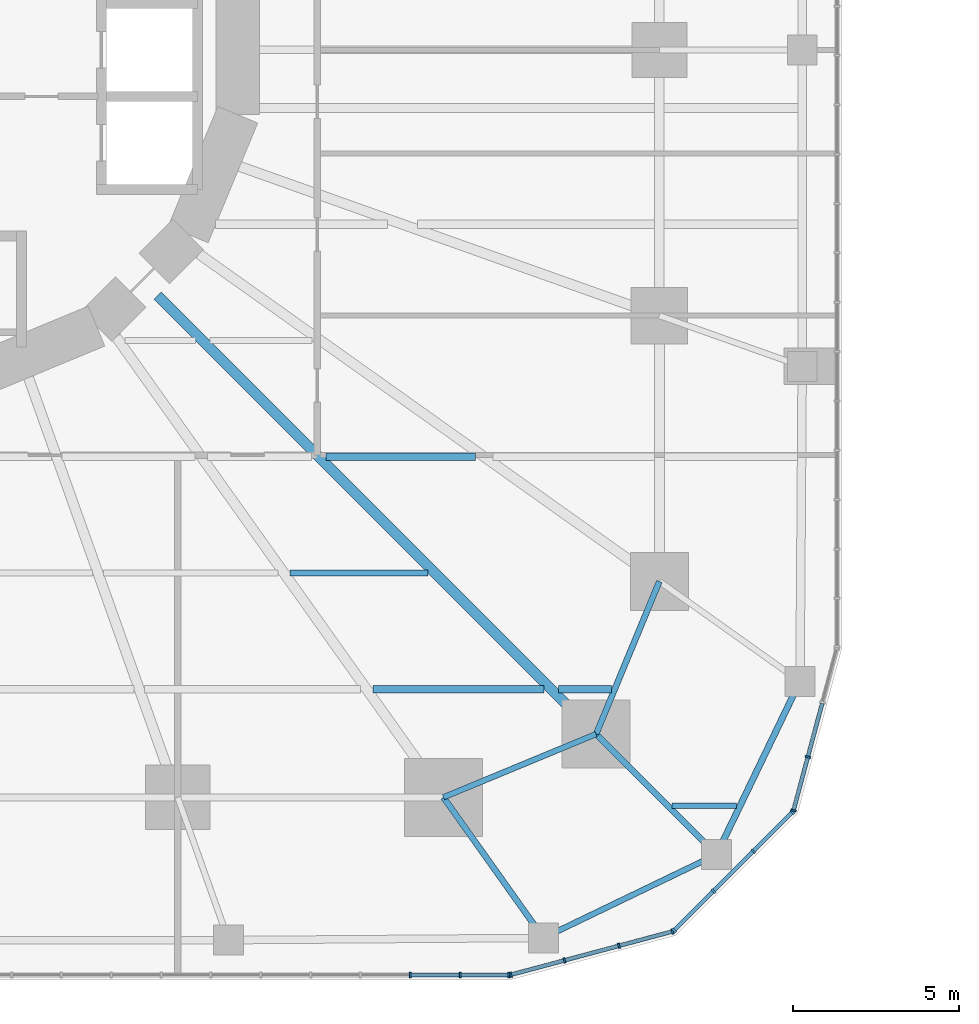
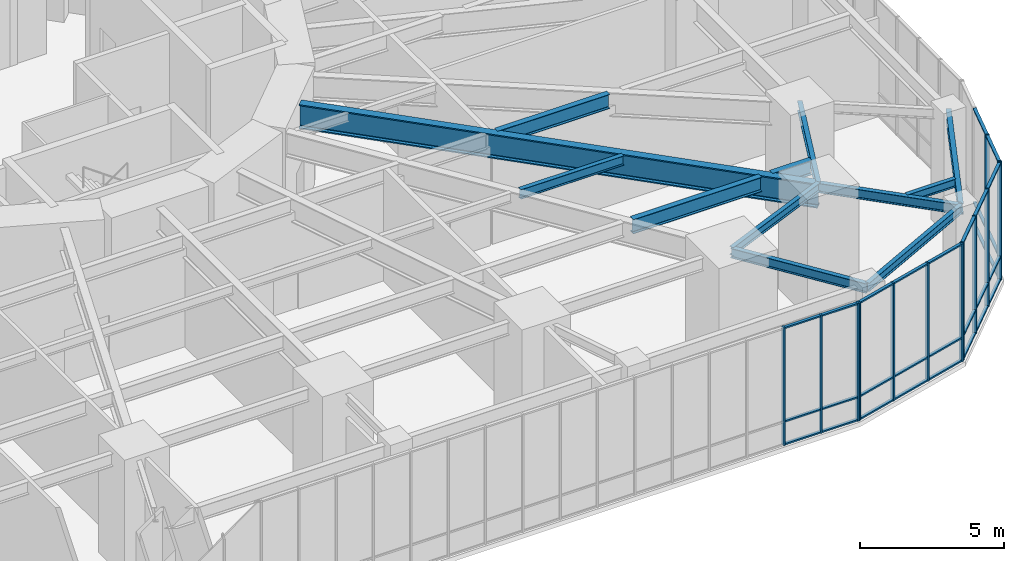
# One storey, part 6 of 24: 43 members, 12 beams, 4 elements without a shape of their own.
"""IFC4 building model written with IfcOpenShell, lengths in metres."""

from ifc_helpers import new_model, si_unit, direction, frame, origin, origin_2d, place, context, subcontext, project, spatial, rectangle, i_section, extrude, material, material_profile, profile_set, type_object, element, aggregate, save


model = new_model("IFC4")

# Units and contexts
model_context = context("Model", 3, precision=1e-05, world=origin(), true_north=direction((0.0, 1.0)))
body_context = subcontext(model_context, "Body", "Model", "MODEL_VIEW")
ifc_project = project(units=[si_unit("LENGTHUNIT", "METRE"), si_unit("AREAUNIT", "SQUARE_METRE"), si_unit("VOLUMEUNIT", "CUBIC_METRE"), si_unit("PLANEANGLEUNIT", "RADIAN"), si_unit("MASSUNIT", "GRAM", prefix="KILO")], contexts=[model_context])

# Site, building, storey
site_placement = place(None, origin())
site = spatial("IfcSite", under=ifc_project, at=site_placement, CompositionType="ELEMENT")
building_placement = place(site_placement, origin())
building = spatial("IfcBuilding", under=site, at=building_placement, Name="Nakasero Lantern House", CompositionType="ELEMENT")
storey_placement = place(building_placement, frame((0.0, 0.0, 6.0)))
storey = spatial("IfcBuildingStorey", under=building, at=storey_placement, Name="L01", CompositionType="ELEMENT", Elevation=6.0)

# Beams
ifc_material_1 = material(Name="Steel S355", Category="steel")
ifc_material_profile_1 = material_profile(ifc_material_1, i_section(OverallWidth=0.17138671875, OverallDepth=0.35498046875, WebThickness=0.00732421875, FlangeThickness=0.011474609375, FilletRadius=0.01025390625, at=origin_2d()), Name="UB 356x171x51")
ifc_profile_set_1 = profile_set([ifc_material_profile_1], Name="Steel S355")
beam_type_1 = type_object("IfcBeamType", Name="Infill beam UB 356x171x51", PredefinedType="JOIST", material=ifc_profile_set_1)
beam_1_placement = place(storey_placement, frame((22.875732421875, -22.75, 4.62255859375), z_axis=(1.0, 0.0, 0.0), x_axis=(0.0, 1.0, 0.0)))
element("IfcBeam", 1, at=beam_1_placement, inside=storey, type_object=beam_type_1, Name="Infill beam L02 02.2", PredefinedType="JOIST", context=body_context, shape_type="SweptSolid", body=[
    extrude(i_section(OverallWidth=0.17138671875, OverallDepth=0.35498046875, WebThickness=0.00732421875, FlangeThickness=0.011474609375, FilletRadius=0.01025390625, at=origin_2d()), origin(), (0.0, 0.0, 1.0), 1.950927734375),
])
ifc_material_2 = material(Name="Steel S355", Category="steel")
ifc_material_profile_2 = material_profile(ifc_material_2, i_section(OverallWidth=0.177978515625, OverallDepth=0.406494140625, WebThickness=0.0078125, FlangeThickness=0.0126953125, FilletRadius=0.01025390625, at=origin_2d()), Name="UB 406x178x60")
ifc_profile_set_2 = profile_set([ifc_material_profile_2], Name="Steel S355")
beam_type_2 = type_object("IfcBeamType", Name="Infill beam UB 406x178x60", PredefinedType="JOIST", material=ifc_profile_set_2)
beam_2_placement = place(storey_placement, frame((11.387451171875, -15.75, 4.5966796875), z_axis=(1.0, 0.0, 0.0), x_axis=(0.0, 1.0, 0.0)))
element("IfcBeam", 2, at=beam_2_placement, inside=storey, type_object=beam_type_2, Name="Infill beam L02 04.6", PredefinedType="JOIST", context=body_context, shape_type="SweptSolid", body=[
    extrude(i_section(OverallWidth=0.177978515625, OverallDepth=0.406494140625, WebThickness=0.0078125, FlangeThickness=0.0126953125, FilletRadius=0.01025390625, at=origin_2d()), origin(), (0.0, 0.0, 1.0), 4.146484375),
])
ifc_material_3 = material(Name="Steel S355", Category="steel")
ifc_material_profile_3 = material_profile(ifc_material_3, i_section(OverallWidth=0.22900390625, OverallDepth=0.6123046875, WebThickness=0.011962890625, FlangeThickness=0.01953125, FilletRadius=0.0126953125, at=origin_2d()), Name="UB 610x229x125")
ifc_profile_set_3 = profile_set([ifc_material_profile_3], Name="Steel S355")
beam_type_3 = type_object("IfcBeamType", Name="Infill beam UB 610x229x125", PredefinedType="JOIST", material=ifc_profile_set_3)
beam_3_placement = place(storey_placement, frame((13.876220703125, -19.25, 4.493896484375), z_axis=(1.0, 0.0, 0.0), x_axis=(0.0, 1.0, 0.0)))
element("IfcBeam", 3, at=beam_3_placement, inside=storey, type_object=beam_type_3, Name="Infill beam L02 03.7", PredefinedType="JOIST", context=body_context, shape_type="SweptSolid", body=[
    extrude(i_section(OverallWidth=0.22900390625, OverallDepth=0.6123046875, WebThickness=0.011962890625, FlangeThickness=0.01953125, FilletRadius=0.0126953125, at=origin_2d()), origin(), (0.0, 0.0, 1.0), 5.15771484375),
])
beam_4_placement = place(storey_placement, frame((19.466064453125, -19.25, 4.493896484375), z_axis=(1.0, 0.0, 0.0), x_axis=(0.0, 1.0, 0.0)))
element("IfcBeam", 4, at=beam_4_placement, inside=storey, type_object=beam_type_3, Name="Infill beam L02 03.8", PredefinedType="JOIST", context=body_context, shape_type="SweptSolid", body=[
    extrude(i_section(OverallWidth=0.22900390625, OverallDepth=0.6123046875, WebThickness=0.011962890625, FlangeThickness=0.01953125, FilletRadius=0.0126953125, at=origin_2d()), origin(), (0.0, 0.0, 1.0), 1.591552734375),
])
beam_5_placement = place(storey_placement, frame((12.466064453125, -12.25, 4.493896484375), z_axis=(1.0, 0.0, 0.0), x_axis=(0.0, 1.0, 0.0)))
element("IfcBeam", 5, at=beam_5_placement, inside=storey, type_object=beam_type_3, Name="Infill beam L02 05.10", PredefinedType="JOIST", context=body_context, shape_type="SweptSolid", body=[
    extrude(i_section(OverallWidth=0.22900390625, OverallDepth=0.6123046875, WebThickness=0.011962890625, FlangeThickness=0.01953125, FilletRadius=0.0126953125, at=origin_2d()), origin(), (0.0, 0.0, 1.0), 4.4990234375),
])

# Curtain wall, members
ifc_material_4 = material(Name="Aluminium 6063-T6 and glass", Category="aluminium")
curtain_wall_type = type_object("IfcCurtainWallType", Name="Podium curtain wall CW-2", PredefinedType="USERDEFINED", material=ifc_material_4)
curtain_wall_1_placement = place(storey_placement, origin())
curtain_wall_1 = element("IfcCurtainWall", 6, at=curtain_wall_1_placement, inside=storey, type_object=curtain_wall_type, Name="Curtain wall CW-2 L01", ObjectType="STICK CURTAIN WALL", PredefinedType="USERDEFINED")
ifc_material_5 = material(Name="Aluminium 6063-T6", Category="aluminium")
ifc_material_profile_4 = material_profile(ifc_material_5, rectangle(XDim=0.06005859375, YDim=0.159912109375, at=origin_2d()), Name="CW-2 mullion 60x160")
ifc_profile_set_4 = profile_set([ifc_material_profile_4], Name="Aluminium 6063-T6")
member_type_1 = type_object("IfcMemberType", Name="Mullion CW-2", PredefinedType="MULLION", material=ifc_profile_set_4)
member_1_placement = place(storey_placement, frame((15.0, -27.85009765625, 0.0), z_axis=(0.0, 0.0, 1.0), x_axis=(1.0, 0.0, 0.0)))
member_1 = element("IfcMember", 7, at=member_1_placement, type_object=member_type_1, Name="CW-2 mullion 23", PredefinedType="MULLION", context=body_context, shape_type="SweptSolid", body=[
    extrude(rectangle(XDim=0.06005859375, YDim=0.159912109375, at=origin_2d()), origin(), (0.0, 0.0, 1.0), 5.0),
])
member_2_placement = place(storey_placement, frame((16.5, -27.85009765625, 0.0), z_axis=(0.0, 0.0, 1.0), x_axis=(1.0, 0.0, 0.0)))
member_2 = element("IfcMember", 8, at=member_2_placement, type_object=member_type_1, Name="CW-2 mullion 24", PredefinedType="MULLION", context=body_context, shape_type="SweptSolid", body=[
    extrude(rectangle(XDim=0.06005859375, YDim=0.159912109375, at=origin_2d()), origin(), (0.0, 0.0, 1.0), 5.0),
])
member_3_placement = place(storey_placement, frame((17.969970703125, -27.85009765625, 0.0), z_axis=(0.0, 0.0, 1.0), x_axis=(1.0, 0.0, 0.0)))
member_3 = element("IfcMember", 9, at=member_3_placement, type_object=member_type_1, Name="CW-2 mullion 25", PredefinedType="MULLION", context=body_context, shape_type="SweptSolid", body=[
    extrude(rectangle(XDim=0.06005859375, YDim=0.159912109375, at=origin_2d()), origin(), (0.0, 0.0, 1.0), 5.0),
])

curtain_wall_2_placement = place(storey_placement, origin())
curtain_wall_2 = element("IfcCurtainWall", 10, at=curtain_wall_2_placement, inside=storey, type_object=curtain_wall_type, Name="Curtain wall CW-2 L01", ObjectType="STICK CURTAIN WALL", PredefinedType="USERDEFINED")
member_4_placement = place(storey_placement, frame((18.029052734375, -27.84228515625, 0.0), z_axis=(0.0, 0.0, 1.0), x_axis=(0.965925826289, 0.258819045103, 0.0)))
member_4 = element("IfcMember", 11, at=member_4_placement, type_object=member_type_1, Name="CW-2 mullion 1", PredefinedType="MULLION", context=body_context, shape_type="SweptSolid", body=[
    extrude(rectangle(XDim=0.06005859375, YDim=0.159912109375, at=origin_2d()), origin(), (0.0, 0.0, 1.0), 5.0),
])
member_5_placement = place(storey_placement, frame((19.6416015625, -27.41015625, 0.0), z_axis=(0.0, 0.0, 1.0), x_axis=(0.965925826289, 0.258819045103, 0.0)))
member_5 = element("IfcMember", 12, at=member_5_placement, type_object=member_type_1, Name="CW-2 mullion 2", PredefinedType="MULLION", context=body_context, shape_type="SweptSolid", body=[
    extrude(rectangle(XDim=0.06005859375, YDim=0.159912109375, at=origin_2d()), origin(), (0.0, 0.0, 1.0), 5.0),
])
member_6_placement = place(storey_placement, frame((21.283447265625, -26.97021484375, 0.0), z_axis=(0.0, 0.0, 1.0), x_axis=(0.965925826289, 0.258819045103, 0.0)))
member_6 = element("IfcMember", 13, at=member_6_placement, type_object=member_type_1, Name="CW-2 mullion 3", PredefinedType="MULLION", context=body_context, shape_type="SweptSolid", body=[
    extrude(rectangle(XDim=0.06005859375, YDim=0.159912109375, at=origin_2d()), origin(), (0.0, 0.0, 1.0), 5.0),
])
member_7_placement = place(storey_placement, frame((22.89599609375, -26.5380859375, 0.0), z_axis=(0.0, 0.0, 1.0), x_axis=(0.965925826289, 0.258819045103, 0.0)))
member_7 = element("IfcMember", 14, at=member_7_placement, type_object=member_type_1, Name="CW-2 mullion 4", PredefinedType="MULLION", context=body_context, shape_type="SweptSolid", body=[
    extrude(rectangle(XDim=0.06005859375, YDim=0.159912109375, at=origin_2d()), origin(), (0.0, 0.0, 1.0), 5.0),
])

curtain_wall_3_placement = place(storey_placement, origin())
curtain_wall_3 = element("IfcCurtainWall", 15, at=curtain_wall_3_placement, inside=storey, type_object=curtain_wall_type, Name="Curtain wall CW-2 L01", ObjectType="STICK CURTAIN WALL", PredefinedType="USERDEFINED")
member_8_placement = place(storey_placement, frame((22.9462890625, -26.509033203125, 0.0), z_axis=(0.0, 0.0, 1.0), x_axis=(0.707106781187, 0.707106781187, 0.0)))
member_8 = element("IfcMember", 16, at=member_8_placement, type_object=member_type_1, Name="CW-2 mullion 1", PredefinedType="MULLION", context=body_context, shape_type="SweptSolid", body=[
    extrude(rectangle(XDim=0.06005859375, YDim=0.159912109375, at=origin_2d()), origin(), (0.0, 0.0, 1.0), 5.0),
])
member_9_placement = place(storey_placement, frame((24.126708984375, -25.32861328125, 0.0), z_axis=(0.0, 0.0, 1.0), x_axis=(0.707106781187, 0.707106781187, 0.0)))
member_9 = element("IfcMember", 17, at=member_9_placement, type_object=member_type_1, Name="CW-2 mullion 2", PredefinedType="MULLION", context=body_context, shape_type="SweptSolid", body=[
    extrude(rectangle(XDim=0.06005859375, YDim=0.159912109375, at=origin_2d()), origin(), (0.0, 0.0, 1.0), 5.0),
])
member_10_placement = place(storey_placement, frame((25.32861328125, -24.126708984375, 0.0), z_axis=(0.0, 0.0, 1.0), x_axis=(0.707106781187, 0.707106781187, 0.0)))
member_10 = element("IfcMember", 18, at=member_10_placement, type_object=member_type_1, Name="CW-2 mullion 3", PredefinedType="MULLION", context=body_context, shape_type="SweptSolid", body=[
    extrude(rectangle(XDim=0.06005859375, YDim=0.159912109375, at=origin_2d()), origin(), (0.0, 0.0, 1.0), 5.0),
])
member_11_placement = place(storey_placement, frame((26.509033203125, -22.9462890625, 0.0), z_axis=(0.0, 0.0, 1.0), x_axis=(0.707106781187, 0.707106781187, 0.0)))
member_11 = element("IfcMember", 19, at=member_11_placement, type_object=member_type_1, Name="CW-2 mullion 4", PredefinedType="MULLION", context=body_context, shape_type="SweptSolid", body=[
    extrude(rectangle(XDim=0.06005859375, YDim=0.159912109375, at=origin_2d()), origin(), (0.0, 0.0, 1.0), 5.0),
])

curtain_wall_4_placement = place(storey_placement, origin())
curtain_wall_4 = element("IfcCurtainWall", 20, at=curtain_wall_4_placement, inside=storey, type_object=curtain_wall_type, Name="Curtain wall CW-2 L01", ObjectType="STICK CURTAIN WALL", PredefinedType="USERDEFINED")
member_12_placement = place(storey_placement, frame((26.5380859375, -22.89599609375, 0.0), z_axis=(0.0, 0.0, 1.0), x_axis=(0.258819045103, 0.965925826289, 0.0)))
member_12 = element("IfcMember", 21, at=member_12_placement, type_object=member_type_1, Name="CW-2 mullion 1", PredefinedType="MULLION", context=body_context, shape_type="SweptSolid", body=[
    extrude(rectangle(XDim=0.06005859375, YDim=0.159912109375, at=origin_2d()), origin(), (0.0, 0.0, 1.0), 5.0),
])
member_13_placement = place(storey_placement, frame((26.97021484375, -21.283447265625, 0.0), z_axis=(0.0, 0.0, 1.0), x_axis=(0.258819045103, 0.965925826289, 0.0)))
member_13 = element("IfcMember", 22, at=member_13_placement, type_object=member_type_1, Name="CW-2 mullion 2", PredefinedType="MULLION", context=body_context, shape_type="SweptSolid", body=[
    extrude(rectangle(XDim=0.06005859375, YDim=0.159912109375, at=origin_2d()), origin(), (0.0, 0.0, 1.0), 5.0),
])

# Beams
ifc_material_6 = material(Name="Steel S355", Category="steel")
ifc_material_profile_5 = material_profile(ifc_material_6, i_section(OverallWidth=0.305419921875, OverallDepth=1.026123046875, WebThickness=0.02685546875, FlangeThickness=0.049072265625, FilletRadius=0.030029296875, at=origin_2d()), Name="UB 1016x305x437")
ifc_profile_set_5 = profile_set([ifc_material_profile_5], Name="Steel S355")
beam_type_4 = type_object("IfcBeamType", Name="Primary beam UB 1016x305x437, span over 15 m", PredefinedType="BEAM", material=ifc_profile_set_5)
beam_6_placement = place(storey_placement, frame((20.59619140625, -20.59619140625, 4.286865234375), z_axis=(-0.707106781187, 0.707106781187, 0.0), x_axis=(-0.707106781187, -0.707106781187, 0.0)))
element("IfcBeam", 23, at=beam_6_placement, inside=storey, type_object=beam_type_4, Name="Primary beam L02 B1-C24", PredefinedType="BEAM", context=body_context, shape_type="SweptSolid", body=[
    extrude(i_section(OverallWidth=0.305419921875, OverallDepth=1.026123046875, WebThickness=0.02685546875, FlangeThickness=0.049072265625, FilletRadius=0.030029296875, at=origin_2d()), origin(), (0.0, 0.0, 1.0), 18.669677734375),
])
ifc_material_7 = material(Name="Steel S355", Category="steel")
ifc_material_profile_6 = material_profile(ifc_material_7, i_section(OverallWidth=0.177978515625, OverallDepth=0.406494140625, WebThickness=0.0078125, FlangeThickness=0.0126953125, FilletRadius=0.01025390625, at=origin_2d()), Name="UB 406x178x60")
ifc_profile_set_6 = profile_set([ifc_material_profile_6], Name="Steel S355")
beam_type_5 = type_object("IfcBeamType", Name="Primary beam UB 406x178x60, span to 6 m", PredefinedType="BEAM", material=ifc_profile_set_6)
beam_7_placement = place(storey_placement, frame((24.22265625, -24.22265625, 4.5966796875), z_axis=(-0.707106781187, 0.707106781187, 0.0), x_axis=(-0.707106781187, -0.707106781187, 0.0)))
element("IfcBeam", 24, at=beam_7_placement, inside=storey, type_object=beam_type_5, Name="Primary beam L02 POD-C24", PredefinedType="BEAM", context=body_context, shape_type="SweptSolid", body=[
    extrude(i_section(OverallWidth=0.177978515625, OverallDepth=0.406494140625, WebThickness=0.0078125, FlangeThickness=0.0126953125, FilletRadius=0.01025390625, at=origin_2d()), origin(), (0.0, 0.0, 1.0), 5.128662109375),
])
ifc_material_8 = material(Name="Steel S355", Category="steel")
ifc_material_profile_7 = material_profile(ifc_material_8, i_section(OverallWidth=0.179443359375, OverallDepth=0.412841796875, WebThickness=0.009521484375, FlangeThickness=0.01611328125, FilletRadius=0.01025390625, at=origin_2d()), Name="UB 406x178x74")
ifc_profile_set_7 = profile_set([ifc_material_profile_7], Name="Steel S355")
beam_type_6 = type_object("IfcBeamType", Name="Primary beam UB 406x178x74, span to 6 m", PredefinedType="BEAM", material=ifc_profile_set_7)
beam_8_placement = place(storey_placement, frame((19.0107421875, -26.733642578125, 4.593505859375), z_axis=(-0.57954320692, 0.814941514044, 0.0), x_axis=(-0.814941514044, -0.57954320692, 0.0)))
element("IfcBeam", 25, at=beam_8_placement, inside=storey, type_object=beam_type_6, Name="Primary beam L02 POD-C23", PredefinedType="BEAM", context=body_context, shape_type="SweptSolid", body=[
    extrude(i_section(OverallWidth=0.179443359375, OverallDepth=0.412841796875, WebThickness=0.009521484375, FlangeThickness=0.01611328125, FilletRadius=0.01025390625, at=origin_2d()), origin(), (0.0, 0.0, 1.0), 5.195068359375),
])
ifc_material_9 = material(Name="Steel S355", Category="steel")
ifc_material_profile_8 = material_profile(ifc_material_9, i_section(OverallWidth=0.17138671875, OverallDepth=0.35498046875, WebThickness=0.00732421875, FlangeThickness=0.011474609375, FilletRadius=0.01025390625, at=origin_2d()), Name="UB 356x171x51")
ifc_profile_set_8 = profile_set([ifc_material_profile_8], Name="Steel S355")
beam_type_7 = type_object("IfcBeamType", Name="Ring beam UB 356x171x51", PredefinedType="BEAM", material=ifc_profile_set_8)
beam_9_placement = place(storey_placement, frame((16.0, -22.5, 4.62255859375), z_axis=(0.923879264016, 0.382684080569, 0.0), x_axis=(-0.382684080569, 0.923879264016, 0.0)))
element("IfcBeam", 26, at=beam_9_placement, inside=storey, type_object=beam_type_7, Name="Ring beam L02 B1-C23", PredefinedType="BEAM", context=body_context, shape_type="SweptSolid", body=[
    extrude(i_section(OverallWidth=0.17138671875, OverallDepth=0.35498046875, WebThickness=0.00732421875, FlangeThickness=0.011474609375, FilletRadius=0.01025390625, at=origin_2d()), origin(), (0.0, 0.0, 1.0), 4.974853515625),
])
beam_10_placement = place(storey_placement, frame((19.0107421875, -26.733642578125, 4.62255859375), z_axis=(0.900897176145, 0.434032577134, 0.0), x_axis=(-0.434032577134, 0.900897176145, 0.0)))
element("IfcBeam", 27, at=beam_10_placement, inside=storey, type_object=beam_type_7, Name="Ring beam L02 POD-C23", PredefinedType="BEAM", context=body_context, shape_type="SweptSolid", body=[
    extrude(i_section(OverallWidth=0.17138671875, OverallDepth=0.35498046875, WebThickness=0.00732421875, FlangeThickness=0.011474609375, FilletRadius=0.01025390625, at=origin_2d()), origin(), (0.0, 0.0, 1.0), 5.78515625),
])
ifc_material_10 = material(Name="Steel S355", Category="steel")
ifc_material_profile_9 = material_profile(ifc_material_10, i_section(OverallWidth=0.177978515625, OverallDepth=0.406494140625, WebThickness=0.0078125, FlangeThickness=0.0126953125, FilletRadius=0.01025390625, at=origin_2d()), Name="UB 406x178x60")
ifc_profile_set_9 = profile_set([ifc_material_profile_9], Name="Steel S355")
beam_type_8 = type_object("IfcBeamType", Name="Ring beam UB 406x178x60", PredefinedType="BEAM", material=ifc_profile_set_9)
beam_11_placement = place(storey_placement, frame((20.59619140625, -20.59619140625, 4.5966796875), z_axis=(0.382684080569, 0.923879264016, 0.0), x_axis=(-0.923879264016, 0.382684080569, 0.0)))
element("IfcBeam", 28, at=beam_11_placement, inside=storey, type_object=beam_type_8, Name="Ring beam L02 B1-C24", PredefinedType="BEAM", context=body_context, shape_type="SweptSolid", body=[
    extrude(i_section(OverallWidth=0.177978515625, OverallDepth=0.406494140625, WebThickness=0.0078125, FlangeThickness=0.0126953125, FilletRadius=0.01025390625, at=origin_2d()), origin(), (0.0, 0.0, 1.0), 4.974853515625),
])
ifc_material_11 = material(Name="Steel S355", Category="steel")
ifc_material_profile_10 = material_profile(ifc_material_11, i_section(OverallWidth=0.18994140625, OverallDepth=0.453369140625, WebThickness=0.008544921875, FlangeThickness=0.0126953125, FilletRadius=0.01025390625, at=origin_2d()), Name="UB 457x191x67")
ifc_profile_set_10 = profile_set([ifc_material_profile_10], Name="Steel S355")
beam_type_9 = type_object("IfcBeamType", Name="Ring beam UB 457x191x67", PredefinedType="BEAM", material=ifc_profile_set_10)
beam_12_placement = place(storey_placement, frame((24.22265625, -24.22265625, 4.5732421875), z_axis=(0.434032577134, 0.900897176145, 0.0), x_axis=(-0.900897176145, 0.434032577134, 0.0)))
element("IfcBeam", 29, at=beam_12_placement, inside=storey, type_object=beam_type_9, Name="Ring beam L02 POD-C24", PredefinedType="BEAM", context=body_context, shape_type="SweptSolid", body=[
    extrude(i_section(OverallWidth=0.18994140625, OverallDepth=0.453369140625, WebThickness=0.008544921875, FlangeThickness=0.0126953125, FilletRadius=0.01025390625, at=origin_2d()), origin(), (0.0, 0.0, 1.0), 5.78515625),
])

# Member
ifc_material_12 = material(Name="Aluminium 6063-T6", Category="aluminium")
ifc_material_profile_11 = material_profile(ifc_material_12, rectangle(XDim=0.06005859375, YDim=0.1201171875, at=origin_2d()), Name="CW-2 transom 60x120")
ifc_profile_set_11 = profile_set([ifc_material_profile_11], Name="Aluminium 6063-T6")
member_type_2 = type_object("IfcMemberType", Name="Transom CW-2", PredefinedType="USERDEFINED", material=ifc_profile_set_11)
member_14_placement = place(storey_placement, frame((15.030029296875, -27.85009765625, 0.030029296875), z_axis=(1.0, 0.0, 0.0), x_axis=(0.0, 0.0, 1.0)))
member_14 = element("IfcMember", 30, at=member_14_placement, type_object=member_type_2, Name="CW-2 transom 23.1", ObjectType="TRANSOM", PredefinedType="USERDEFINED", context=body_context, shape_type="SweptSolid", body=[
    extrude(rectangle(XDim=0.06005859375, YDim=0.1201171875, at=origin_2d()), origin(), (0.0, 0.0, 1.0), 1.43994140625),
])

member_15_placement = place(storey_placement, frame((15.030029296875, -27.85009765625, 1.0), z_axis=(1.0, 0.0, 0.0), x_axis=(0.0, 0.0, 1.0)))
member_15 = element("IfcMember", 31, at=member_15_placement, type_object=member_type_2, Name="CW-2 transom 23.2", ObjectType="TRANSOM", PredefinedType="USERDEFINED", context=body_context, shape_type="SweptSolid", body=[
    extrude(rectangle(XDim=0.06005859375, YDim=0.1201171875, at=origin_2d()), origin(), (0.0, 0.0, 1.0), 1.43994140625),
])

member_16_placement = place(storey_placement, frame((15.030029296875, -27.85009765625, 4.969970703125), z_axis=(1.0, 0.0, 0.0), x_axis=(0.0, 0.0, 1.0)))
member_16 = element("IfcMember", 32, at=member_16_placement, type_object=member_type_2, Name="CW-2 transom 23.3", ObjectType="TRANSOM", PredefinedType="USERDEFINED", context=body_context, shape_type="SweptSolid", body=[
    extrude(rectangle(XDim=0.06005859375, YDim=0.1201171875, at=origin_2d()), origin(), (0.0, 0.0, 1.0), 1.43994140625),
])

member_17_placement = place(storey_placement, frame((16.530029296875, -27.85009765625, 0.030029296875), z_axis=(1.0, 0.0, 0.0), x_axis=(0.0, 0.0, 1.0)))
member_17 = element("IfcMember", 33, at=member_17_placement, type_object=member_type_2, Name="CW-2 transom 24.1", ObjectType="TRANSOM", PredefinedType="USERDEFINED", context=body_context, shape_type="SweptSolid", body=[
    extrude(rectangle(XDim=0.06005859375, YDim=0.1201171875, at=origin_2d()), origin(), (0.0, 0.0, 1.0), 1.409912109375),
])

member_18_placement = place(storey_placement, frame((16.530029296875, -27.85009765625, 1.0), z_axis=(1.0, 0.0, 0.0), x_axis=(0.0, 0.0, 1.0)))
member_18 = element("IfcMember", 34, at=member_18_placement, type_object=member_type_2, Name="CW-2 transom 24.2", ObjectType="TRANSOM", PredefinedType="USERDEFINED", context=body_context, shape_type="SweptSolid", body=[
    extrude(rectangle(XDim=0.06005859375, YDim=0.1201171875, at=origin_2d()), origin(), (0.0, 0.0, 1.0), 1.409912109375),
])

member_19_placement = place(storey_placement, frame((16.530029296875, -27.85009765625, 4.969970703125), z_axis=(1.0, 0.0, 0.0), x_axis=(0.0, 0.0, 1.0)))
member_19 = element("IfcMember", 35, at=member_19_placement, type_object=member_type_2, Name="CW-2 transom 24.3", ObjectType="TRANSOM", PredefinedType="USERDEFINED", context=body_context, shape_type="SweptSolid", body=[
    extrude(rectangle(XDim=0.06005859375, YDim=0.1201171875, at=origin_2d()), origin(), (0.0, 0.0, 1.0), 1.409912109375),
])

aggregate(curtain_wall_1, [member_1, member_2, member_3, member_14, member_15, member_16, member_17, member_18, member_19])

member_20_placement = place(storey_placement, frame((18.057861328125, -27.83447265625, 0.030029296875), z_axis=(0.96594737463, 0.258738612203, 0.0), x_axis=(0.0, 0.0, 1.0)))
member_20 = element("IfcMember", 36, at=member_20_placement, type_object=member_type_2, Name="CW-2 transom 1.1", ObjectType="TRANSOM", PredefinedType="USERDEFINED", context=body_context, shape_type="SweptSolid", body=[
    extrude(rectangle(XDim=0.06005859375, YDim=0.1201171875, at=origin_2d()), origin(), (0.0, 0.0, 1.0), 1.60986328125),
])

member_21_placement = place(storey_placement, frame((18.057861328125, -27.83447265625, 1.0), z_axis=(0.96594737463, 0.258738612203, 0.0), x_axis=(0.0, 0.0, 1.0)))
member_21 = element("IfcMember", 37, at=member_21_placement, type_object=member_type_2, Name="CW-2 transom 1.2", ObjectType="TRANSOM", PredefinedType="USERDEFINED", context=body_context, shape_type="SweptSolid", body=[
    extrude(rectangle(XDim=0.06005859375, YDim=0.1201171875, at=origin_2d()), origin(), (0.0, 0.0, 1.0), 1.60986328125),
])

member_22_placement = place(storey_placement, frame((18.057861328125, -27.83447265625, 4.969970703125), z_axis=(0.96594737463, 0.258738612203, 0.0), x_axis=(0.0, 0.0, 1.0)))
member_22 = element("IfcMember", 38, at=member_22_placement, type_object=member_type_2, Name="CW-2 transom 1.3", ObjectType="TRANSOM", PredefinedType="USERDEFINED", context=body_context, shape_type="SweptSolid", body=[
    extrude(rectangle(XDim=0.06005859375, YDim=0.1201171875, at=origin_2d()), origin(), (0.0, 0.0, 1.0), 1.60986328125),
])

member_23_placement = place(storey_placement, frame((19.670654296875, -27.40234375, 0.030029296875), z_axis=(0.965932765235, 0.258793147214, 0.0), x_axis=(0.0, 0.0, 1.0)))
member_23 = element("IfcMember", 39, at=member_23_placement, type_object=member_type_2, Name="CW-2 transom 2.1", ObjectType="TRANSOM", PredefinedType="USERDEFINED", context=body_context, shape_type="SweptSolid", body=[
    extrude(rectangle(XDim=0.06005859375, YDim=0.1201171875, at=origin_2d()), origin(), (0.0, 0.0, 1.0), 1.6396484375),
])

member_24_placement = place(storey_placement, frame((19.670654296875, -27.40234375, 1.0), z_axis=(0.965932765235, 0.258793147214, 0.0), x_axis=(0.0, 0.0, 1.0)))
member_24 = element("IfcMember", 40, at=member_24_placement, type_object=member_type_2, Name="CW-2 transom 2.2", ObjectType="TRANSOM", PredefinedType="USERDEFINED", context=body_context, shape_type="SweptSolid", body=[
    extrude(rectangle(XDim=0.06005859375, YDim=0.1201171875, at=origin_2d()), origin(), (0.0, 0.0, 1.0), 1.6396484375),
])

member_25_placement = place(storey_placement, frame((19.670654296875, -27.40234375, 4.969970703125), z_axis=(0.965932765235, 0.258793147214, 0.0), x_axis=(0.0, 0.0, 1.0)))
member_25 = element("IfcMember", 41, at=member_25_placement, type_object=member_type_2, Name="CW-2 transom 2.3", ObjectType="TRANSOM", PredefinedType="USERDEFINED", context=body_context, shape_type="SweptSolid", body=[
    extrude(rectangle(XDim=0.06005859375, YDim=0.1201171875, at=origin_2d()), origin(), (0.0, 0.0, 1.0), 1.6396484375),
])

member_26_placement = place(storey_placement, frame((21.312255859375, -26.96240234375, 0.030029296875), z_axis=(0.965937219158, 0.258776522595, 0.0), x_axis=(0.0, 0.0, 1.0)))
member_26 = element("IfcMember", 42, at=member_26_placement, type_object=member_type_2, Name="CW-2 transom 3.1", ObjectType="TRANSOM", PredefinedType="USERDEFINED", context=body_context, shape_type="SweptSolid", body=[
    extrude(rectangle(XDim=0.06005859375, YDim=0.1201171875, at=origin_2d()), origin(), (0.0, 0.0, 1.0), 1.609619140625),
])

member_27_placement = place(storey_placement, frame((21.312255859375, -26.96240234375, 1.0), z_axis=(0.965937219158, 0.258776522595, 0.0), x_axis=(0.0, 0.0, 1.0)))
member_27 = element("IfcMember", 43, at=member_27_placement, type_object=member_type_2, Name="CW-2 transom 3.2", ObjectType="TRANSOM", PredefinedType="USERDEFINED", context=body_context, shape_type="SweptSolid", body=[
    extrude(rectangle(XDim=0.06005859375, YDim=0.1201171875, at=origin_2d()), origin(), (0.0, 0.0, 1.0), 1.609619140625),
])

member_28_placement = place(storey_placement, frame((21.312255859375, -26.96240234375, 4.969970703125), z_axis=(0.965937219158, 0.258776522595, 0.0), x_axis=(0.0, 0.0, 1.0)))
member_28 = element("IfcMember", 44, at=member_28_placement, type_object=member_type_2, Name="CW-2 transom 3.3", ObjectType="TRANSOM", PredefinedType="USERDEFINED", context=body_context, shape_type="SweptSolid", body=[
    extrude(rectangle(XDim=0.06005859375, YDim=0.1201171875, at=origin_2d()), origin(), (0.0, 0.0, 1.0), 1.609619140625),
])

aggregate(curtain_wall_2, [member_4, member_5, member_6, member_7, member_20, member_21, member_22, member_23, member_24, member_25, member_26, member_27, member_28])

member_29_placement = place(storey_placement, frame((22.967529296875, -26.488037109375, 0.030029296875), z_axis=(0.707030931707, 0.707182622531, 0.0), x_axis=(0.0, 0.0, 1.0)))
member_29 = element("IfcMember", 45, at=member_29_placement, type_object=member_type_2, Name="CW-2 transom 1.1", ObjectType="TRANSOM", PredefinedType="USERDEFINED", context=body_context, shape_type="SweptSolid", body=[
    extrude(rectangle(XDim=0.06005859375, YDim=0.1201171875, at=origin_2d()), origin(), (0.0, 0.0, 1.0), 1.609375),
])

member_30_placement = place(storey_placement, frame((22.967529296875, -26.488037109375, 1.0), z_axis=(0.707030931707, 0.707182622531, 0.0), x_axis=(0.0, 0.0, 1.0)))
member_30 = element("IfcMember", 46, at=member_30_placement, type_object=member_type_2, Name="CW-2 transom 1.2", ObjectType="TRANSOM", PredefinedType="USERDEFINED", context=body_context, shape_type="SweptSolid", body=[
    extrude(rectangle(XDim=0.06005859375, YDim=0.1201171875, at=origin_2d()), origin(), (0.0, 0.0, 1.0), 1.609375),
])

member_31_placement = place(storey_placement, frame((22.967529296875, -26.488037109375, 4.969970703125), z_axis=(0.707030931707, 0.707182622531, 0.0), x_axis=(0.0, 0.0, 1.0)))
member_31 = element("IfcMember", 47, at=member_31_placement, type_object=member_type_2, Name="CW-2 transom 1.3", ObjectType="TRANSOM", PredefinedType="USERDEFINED", context=body_context, shape_type="SweptSolid", body=[
    extrude(rectangle(XDim=0.06005859375, YDim=0.1201171875, at=origin_2d()), origin(), (0.0, 0.0, 1.0), 1.609375),
])

member_32_placement = place(storey_placement, frame((24.14794921875, -25.307373046875, 0.030029296875), z_axis=(0.707106781187, 0.707106781187, 0.0), x_axis=(0.0, 0.0, 1.0)))
member_32 = element("IfcMember", 48, at=member_32_placement, type_object=member_type_2, Name="CW-2 transom 2.1", ObjectType="TRANSOM", PredefinedType="USERDEFINED", context=body_context, shape_type="SweptSolid", body=[
    extrude(rectangle(XDim=0.06005859375, YDim=0.1201171875, at=origin_2d()), origin(), (0.0, 0.0, 1.0), 1.6396484375),
])

member_33_placement = place(storey_placement, frame((24.14794921875, -25.307373046875, 1.0), z_axis=(0.707106781187, 0.707106781187, 0.0), x_axis=(0.0, 0.0, 1.0)))
member_33 = element("IfcMember", 49, at=member_33_placement, type_object=member_type_2, Name="CW-2 transom 2.2", ObjectType="TRANSOM", PredefinedType="USERDEFINED", context=body_context, shape_type="SweptSolid", body=[
    extrude(rectangle(XDim=0.06005859375, YDim=0.1201171875, at=origin_2d()), origin(), (0.0, 0.0, 1.0), 1.6396484375),
])

member_34_placement = place(storey_placement, frame((24.14794921875, -25.307373046875, 4.969970703125), z_axis=(0.707106781187, 0.707106781187, 0.0), x_axis=(0.0, 0.0, 1.0)))
member_34 = element("IfcMember", 50, at=member_34_placement, type_object=member_type_2, Name="CW-2 transom 2.3", ObjectType="TRANSOM", PredefinedType="USERDEFINED", context=body_context, shape_type="SweptSolid", body=[
    extrude(rectangle(XDim=0.06005859375, YDim=0.1201171875, at=origin_2d()), origin(), (0.0, 0.0, 1.0), 1.6396484375),
])

member_35_placement = place(storey_placement, frame((25.349853515625, -24.10546875, 0.030029296875), z_axis=(0.707182622531, 0.707030931707, 0.0), x_axis=(0.0, 0.0, 1.0)))
member_35 = element("IfcMember", 51, at=member_35_placement, type_object=member_type_2, Name="CW-2 transom 3.1", ObjectType="TRANSOM", PredefinedType="USERDEFINED", context=body_context, shape_type="SweptSolid", body=[
    extrude(rectangle(XDim=0.06005859375, YDim=0.1201171875, at=origin_2d()), origin(), (0.0, 0.0, 1.0), 1.609375),
])

member_36_placement = place(storey_placement, frame((25.349853515625, -24.10546875, 1.0), z_axis=(0.707182622531, 0.707030931707, 0.0), x_axis=(0.0, 0.0, 1.0)))
member_36 = element("IfcMember", 52, at=member_36_placement, type_object=member_type_2, Name="CW-2 transom 3.2", ObjectType="TRANSOM", PredefinedType="USERDEFINED", context=body_context, shape_type="SweptSolid", body=[
    extrude(rectangle(XDim=0.06005859375, YDim=0.1201171875, at=origin_2d()), origin(), (0.0, 0.0, 1.0), 1.609375),
])

member_37_placement = place(storey_placement, frame((25.349853515625, -24.10546875, 4.969970703125), z_axis=(0.707182622531, 0.707030931707, 0.0), x_axis=(0.0, 0.0, 1.0)))
member_37 = element("IfcMember", 53, at=member_37_placement, type_object=member_type_2, Name="CW-2 transom 3.3", ObjectType="TRANSOM", PredefinedType="USERDEFINED", context=body_context, shape_type="SweptSolid", body=[
    extrude(rectangle(XDim=0.06005859375, YDim=0.1201171875, at=origin_2d()), origin(), (0.0, 0.0, 1.0), 1.609375),
])

aggregate(curtain_wall_3, [member_8, member_9, member_10, member_11, member_29, member_30, member_31, member_32, member_33, member_34, member_35, member_36, member_37])

member_38_placement = place(storey_placement, frame((26.5458984375, -22.866943359375, 0.030029296875), z_axis=(0.258776522595, 0.965937219158, 0.0), x_axis=(0.0, 0.0, 1.0)))
member_38 = element("IfcMember", 54, at=member_38_placement, type_object=member_type_2, Name="CW-2 transom 1.1", ObjectType="TRANSOM", PredefinedType="USERDEFINED", context=body_context, shape_type="SweptSolid", body=[
    extrude(rectangle(XDim=0.06005859375, YDim=0.1201171875, at=origin_2d()), origin(), (0.0, 0.0, 1.0), 1.609619140625),
])

member_39_placement = place(storey_placement, frame((26.5458984375, -22.866943359375, 1.0), z_axis=(0.258776522595, 0.965937219158, 0.0), x_axis=(0.0, 0.0, 1.0)))
member_39 = element("IfcMember", 55, at=member_39_placement, type_object=member_type_2, Name="CW-2 transom 1.2", ObjectType="TRANSOM", PredefinedType="USERDEFINED", context=body_context, shape_type="SweptSolid", body=[
    extrude(rectangle(XDim=0.06005859375, YDim=0.1201171875, at=origin_2d()), origin(), (0.0, 0.0, 1.0), 1.609619140625),
])

member_40_placement = place(storey_placement, frame((26.5458984375, -22.866943359375, 4.969970703125), z_axis=(0.258776522595, 0.965937219158, 0.0), x_axis=(0.0, 0.0, 1.0)))
member_40 = element("IfcMember", 56, at=member_40_placement, type_object=member_type_2, Name="CW-2 transom 1.3", ObjectType="TRANSOM", PredefinedType="USERDEFINED", context=body_context, shape_type="SweptSolid", body=[
    extrude(rectangle(XDim=0.06005859375, YDim=0.1201171875, at=origin_2d()), origin(), (0.0, 0.0, 1.0), 1.609619140625),
])

member_41_placement = place(storey_placement, frame((26.97802734375, -21.25439453125, 0.030029296875), z_axis=(0.258793147214, 0.965932765235, 0.0), x_axis=(0.0, 0.0, 1.0)))
member_41 = element("IfcMember", 57, at=member_41_placement, type_object=member_type_2, Name="CW-2 transom 2.1", ObjectType="TRANSOM", PredefinedType="USERDEFINED", context=body_context, shape_type="SweptSolid", body=[
    extrude(rectangle(XDim=0.06005859375, YDim=0.1201171875, at=origin_2d()), origin(), (0.0, 0.0, 1.0), 1.6396484375),
])

member_42_placement = place(storey_placement, frame((26.97802734375, -21.25439453125, 1.0), z_axis=(0.258793147214, 0.965932765235, 0.0), x_axis=(0.0, 0.0, 1.0)))
member_42 = element("IfcMember", 58, at=member_42_placement, type_object=member_type_2, Name="CW-2 transom 2.2", ObjectType="TRANSOM", PredefinedType="USERDEFINED", context=body_context, shape_type="SweptSolid", body=[
    extrude(rectangle(XDim=0.06005859375, YDim=0.1201171875, at=origin_2d()), origin(), (0.0, 0.0, 1.0), 1.6396484375),
])

member_43_placement = place(storey_placement, frame((26.97802734375, -21.25439453125, 4.969970703125), z_axis=(0.258793147214, 0.965932765235, 0.0), x_axis=(0.0, 0.0, 1.0)))
member_43 = element("IfcMember", 59, at=member_43_placement, type_object=member_type_2, Name="CW-2 transom 2.3", ObjectType="TRANSOM", PredefinedType="USERDEFINED", context=body_context, shape_type="SweptSolid", body=[
    extrude(rectangle(XDim=0.06005859375, YDim=0.1201171875, at=origin_2d()), origin(), (0.0, 0.0, 1.0), 1.6396484375),
])

aggregate(curtain_wall_4, [member_12, member_13, member_38, member_39, member_40, member_41, member_42, member_43])

save(model, "model.ifc")
